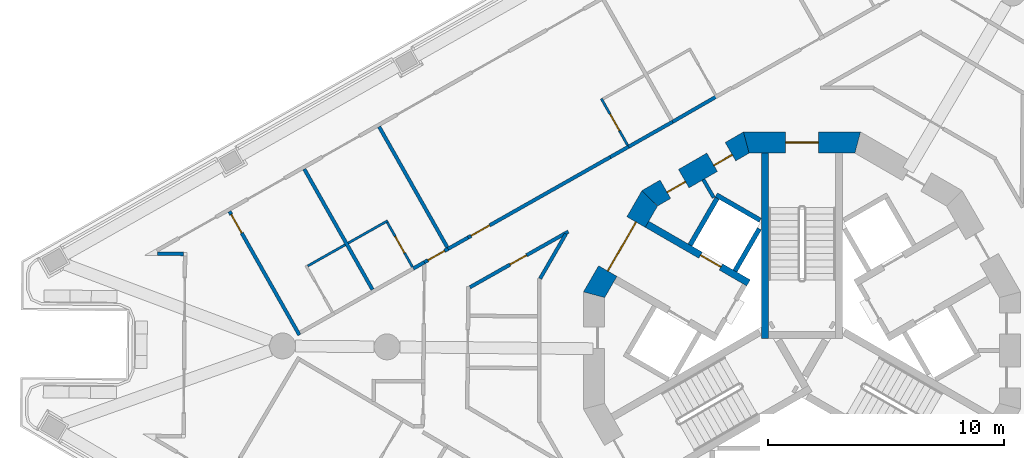
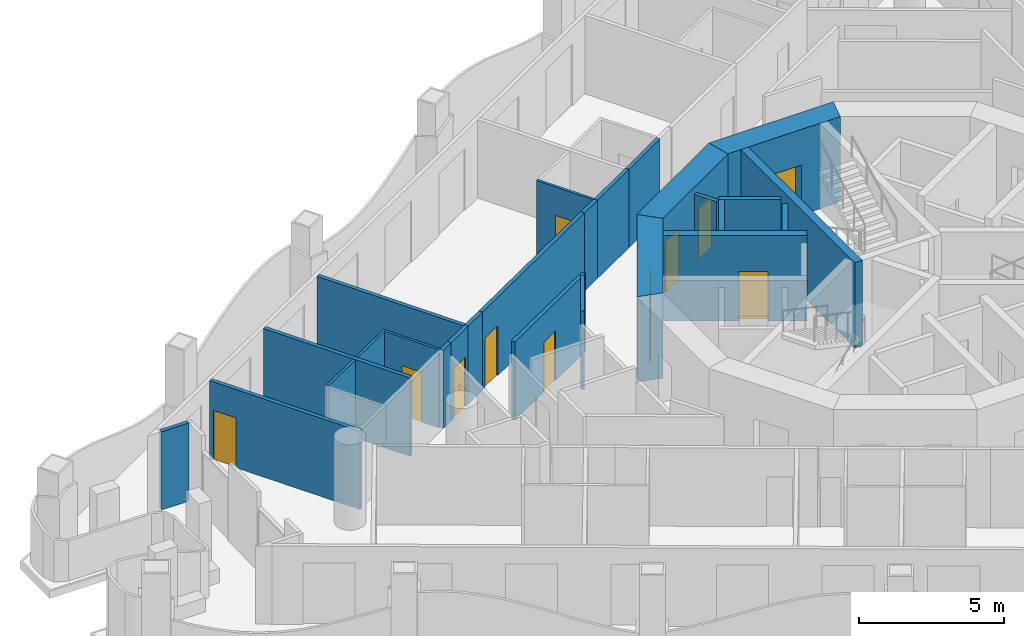
# One storey, part 7 of 17: 26 walls, 11 doors, 11 openings.
"""IFC4 building model written with IfcOpenShell, lengths in metres."""

from ifc_helpers import new_model, si_unit, direction, frame, frame_2d, origin, place, context, subcontext, project, spatial, polyline, rectangle, outline, extrude, material, layer, layer_set, type_object, element, fill, save


model = new_model("IFC4")

# Units and contexts
model_context = context("Model", 3, precision=1e-05, world=origin(), true_north=direction((0.0, 1.0)))
body_context = subcontext(model_context, "Body", "Model", "MODEL_VIEW")
ifc_project = project(units=[si_unit("LENGTHUNIT", "METRE"), si_unit("AREAUNIT", "SQUARE_METRE"), si_unit("VOLUMEUNIT", "CUBIC_METRE"), si_unit("PLANEANGLEUNIT", "RADIAN"), si_unit("MASSUNIT", "GRAM", prefix="KILO")], contexts=[model_context])

# Site, building, storey
site_placement = place(None, origin())
site = spatial("IfcSite", under=ifc_project, at=site_placement, CompositionType="ELEMENT")
building_placement = place(site_placement, origin())
building = spatial("IfcBuilding", under=site, at=building_placement, Name="Trine Commons Tower", CompositionType="ELEMENT")
storey_placement = place(building_placement, frame((0.0, 0.0, 168.300048828125)))
storey = spatial("IfcBuildingStorey", under=building, at=storey_placement, Name="L43", CompositionType="ELEMENT", Elevation=168.300048828125)

# Walls
ifc_material_1 = material(Name="Plasterboard partition on steel studs", Category="steel")
ifc_layer_1 = layer(ifc_material_1, 0.14990234375)
ifc_layer_set_1 = layer_set([ifc_layer_1], Name="Plasterboard partition on steel studs")
wall_type_1 = type_object("IfcWallType", Name="Core room partition 150 mm, EI 60", PredefinedType="PARTITIONING", material=ifc_layer_set_1)
wall_1_placement = place(storey_placement, frame((75.81396484375, 69.7509765625, 0.0), z_axis=(0.0, 0.0, 1.0), x_axis=(0.499890179513, -0.866088799389, 0.0)))
element("IfcWall", 1, at=wall_1_placement, inside=storey, type_object=wall_type_1, Name="Core room partition L43", PredefinedType="PARTITIONING", context=body_context, shape_type="SweptSolid", body=[
    extrude(rectangle(XDim=0.882080078125, YDim=0.14990234375, at=frame_2d((0.44091796875, 0.0))), origin(), (0.0, 0.0, 1.0), 3.300048828125),
])
ifc_material_2 = material(Name="Aluminium-framed insulated wall panel", Category="aluminium")
ifc_layer_2 = layer(ifc_material_2, 0.14990234375)
ifc_layer_set_2 = layer_set([ifc_layer_2], Name="Aluminium-framed insulated wall panel")
wall_type_2 = type_object("IfcWallType", Name="Glazed frame wall 150, EI 60", PredefinedType="SOLIDWALL", material=ifc_layer_set_2)
wall_2_placement = place(storey_placement, frame((53.859619140625, 66.59326171875, 0.0), z_axis=(0.0, 0.0, 1.0), x_axis=(-0.999962043845, 0.008712684354, 0.0)))
element("IfcWall", 2, at=wall_2_placement, inside=storey, type_object=wall_type_2, Name="Glazed frame wall R3", PredefinedType="SOLIDWALL", context=body_context, shape_type="SweptSolid", body=[
    extrude(outline(polyline([(0.110107421875, 0.074951171875), (0.110107421875, -0.074951171875), (1.19580078125, -0.074951171875), (1.19580078125, 0.074951171875), (0.110107421875, 0.074951171875)])), origin(), (0.0, 0.0, 1.0), 3.300048828125),
])

# Wall, opening, door
ifc_material_3 = material(Name="Concrete C60/75", Category="concrete")
ifc_layer_3 = layer(ifc_material_3, 0.300048828125)
ifc_layer_set_3 = layer_set([ifc_layer_3], Name="Concrete C60/75")
wall_type_3 = type_object("IfcWallType", Name="RC shear wall 300 mm, C60/75", PredefinedType="SHEAR", material=ifc_layer_set_3)
wall_3_placement = place(storey_placement, frame((77.73095703125, 65.368896484375, 0.0), z_axis=(0.0, 0.0, 1.0), x_axis=(-0.865983655544, 0.500072303102, 0.0)))
wall_3 = element("IfcWall", 3, at=wall_3_placement, inside=storey, type_object=wall_type_3, Name="Core cross wall SWB-02 L43", PredefinedType="SHEAR", context=body_context, shape_type="SweptSolid", body=[
    extrude(rectangle(XDim=4.973388671875, YDim=0.300048828125, at=frame_2d((2.48681640625, 0.0))), origin(), (0.0, 0.0, 1.0), 3.599853515625),
])
opening_1_placement = place(wall_3_placement, frame((1.3505859375, 0.0, 0.0)))
opening_1 = element("IfcOpeningElement", 4, at=opening_1_placement, cuts=wall_3, Name="Opening LD8", PredefinedType="OPENING", context=body_context, shape_type="SweptSolid", body=[
    extrude(rectangle(XDim=1.0, YDim=2.10009765625, at=frame_2d((0.5, 1.050048828125))), frame((0.0, 0.159912109375, 0.0), z_axis=(0.0, -1.0, 0.0), x_axis=(1.0, 0.0, 0.0)), (0.0, 0.0, 1.0), 0.320068359375),
])
ifc_material_4 = material(Name="Stainless steel sliding door leaves", Category="steel")
door_type_1 = type_object("IfcDoorType", Name="Lift landing door, centre-opening sliding 1000 x 2100, FD90", OperationType="DOUBLE_DOOR_SLIDING", PredefinedType="DOOR", material=ifc_material_4)
door_1_placement = place(opening_1_placement, origin())
door_1 = element("IfcDoor", 5, at=door_1_placement, inside=storey, type_object=door_type_1, Name="Lift landing door HR4 L43", OperationType="DOUBLE_DOOR_SLIDING", OverallHeight=2.10009765625, OverallWidth=1.0, PredefinedType="DOOR", context=body_context, shape_type="SweptSolid", body=[
    extrude(rectangle(XDim=1.0, YDim=2.10009765625, at=frame_2d((0.5, 1.050048828125))), frame((0.0, 0.02490234375, 0.0), z_axis=(0.0, -1.0, 0.0), x_axis=(1.0, 0.0, 0.0)), (0.0, 0.0, 1.0), 0.050048828125),
])
fill(opening_1, door_1)

# Wall
wall_4_placement = place(storey_placement, frame((78.425048828125, 63.0009765625, 0.0), z_axis=(0.0, 0.0, 1.0), x_axis=(0.0, 1.0, 0.0)))
element("IfcWall", 6, at=wall_4_placement, inside=storey, type_object=wall_type_3, Name="Core cross wall SWB-08 L43", PredefinedType="SHEAR", context=body_context, shape_type="SweptSolid", body=[
    extrude(rectangle(XDim=7.8720703125, YDim=0.300048828125, at=frame_2d((3.93603515625, 0.0))), origin(), (0.0, 0.0, 1.0), 3.599853515625),
])

# Wall, opening, door
ifc_layer_4 = layer(ifc_material_3, 0.89990234375)
ifc_layer_set_4 = layer_set([ifc_layer_4], Name="Concrete C60/75")
wall_type_4 = type_object("IfcWallType", Name="RC shear wall 900 mm, C60/75", PredefinedType="SHEAR", material=ifc_layer_set_4)
wall_5_placement = place(storey_placement, frame((82.484619140625, 71.322998046875, 0.0), z_axis=(0.0, 0.0, 1.0), x_axis=(-1.0, 0.0, 0.0)))
wall_5 = element("IfcWall", 7, at=wall_5_placement, inside=storey, type_object=wall_type_4, Name="Core wall CWE-04 L43", PredefinedType="SHEAR", context=body_context, shape_type="SweptSolid", body=[
    extrude(outline(polyline([(0.0, -0.449951171875), (4.969482421875, -0.449951171875), (4.728271484375, 0.449951171875), (0.2412109375, 0.449951171875), (0.0, -0.449951171875)])), origin(), (0.0, 0.0, 1.0), 3.599853515625),
])
opening_2_placement = place(wall_5_placement, frame((1.78466796875, 0.0, 0.0)))
opening_2 = element("IfcOpeningElement", 8, at=opening_2_placement, cuts=wall_5, Name="Opening K10.01", PredefinedType="OPENING", context=body_context, shape_type="SweptSolid", body=[
    extrude(rectangle(XDim=1.39990234375, YDim=2.10009765625, at=frame_2d((0.699951171875, 1.050048828125))), frame((0.0, 0.4599609375, 0.0), z_axis=(0.0, -1.0, 0.0), x_axis=(1.0, 0.0, 0.0)), (0.0, 0.0, 1.0), 0.919921875),
])
ifc_material_5 = material(Name="Steel door leaves, fire-rated", Category="steel")
door_type_2 = type_object("IfcDoorType", Name="Stair door, double leaf 1400 x 2100, FD90", OperationType="DOUBLE_DOOR_SINGLE_SWING", PredefinedType="DOOR", material=ifc_material_5)
door_2_placement = place(opening_2_placement, origin())
door_2 = element("IfcDoor", 9, at=door_2_placement, inside=storey, type_object=door_type_2, Name="Stair door to Exit stair ST1B L43", OperationType="DOUBLE_DOOR_SINGLE_SWING", OverallHeight=2.10009765625, OverallWidth=1.39990234375, PredefinedType="DOOR", context=body_context, shape_type="SweptSolid", body=[
    extrude(rectangle(XDim=1.39990234375, YDim=2.10009765625, at=frame_2d((0.699951171875, 1.050048828125))), frame((0.0, 0.02490234375, 0.0), z_axis=(0.0, -1.0, 0.0), x_axis=(1.0, 0.0, 0.0)), (0.0, 0.0, 1.0), 0.050048828125),
])
fill(opening_2, door_2)

# Wall, openings, doors
wall_6_placement = place(storey_placement, frame((77.740234375, 71.38330078125, 0.0), z_axis=(0.0, 0.0, 1.0), x_axis=(-0.866003133579, -0.500038571144, 0.0)))
wall_6 = element("IfcWall", 10, at=wall_6_placement, inside=storey, type_object=wall_type_4, Name="Core wall CWE-05 L43", PredefinedType="SHEAR", context=body_context, shape_type="SweptSolid", body=[
    extrude(outline(polyline([(0.0, -0.449951171875), (4.96923828125, -0.449951171875), (4.72802734375, 0.449951171875), (0.2412109375, 0.449951171875), (0.0, -0.449951171875)])), origin(), (0.0, 0.0, 1.0), 3.599853515625),
])
opening_3_placement = place(wall_6_placement, frame((0.89501953125, 0.0, 0.0)))
opening_3 = element("IfcOpeningElement", 11, at=opening_3_placement, cuts=wall_6, Name="Opening K10.13", PredefinedType="OPENING", context=body_context, shape_type="SweptSolid", body=[
    extrude(rectangle(XDim=0.89990234375, YDim=2.10009765625, at=frame_2d((0.449951171875, 1.050048828125))), frame((0.0, 0.4599609375, 0.0), z_axis=(0.0, -1.0, 0.0), x_axis=(1.0, 0.0, 0.0)), (0.0, 0.0, 1.0), 0.919921875),
])
opening_4_placement = place(wall_6_placement, frame((3.18408203125, 0.0, 0.0)))
opening_4 = element("IfcOpeningElement", 12, at=opening_4_placement, cuts=wall_6, Name="Opening K10.14", PredefinedType="OPENING", context=body_context, shape_type="SweptSolid", body=[
    extrude(rectangle(XDim=0.89990234375, YDim=2.10009765625, at=frame_2d((0.449951171875, 1.050048828125))), frame((0.0, 0.4599609375, 0.0), z_axis=(0.0, -1.0, 0.0), x_axis=(1.0, 0.0, 0.0)), (0.0, 0.0, 1.0), 0.919921875),
])
ifc_material_6 = material(Name="Steel door leaf, fire-rated", Category="steel")
door_type_3 = type_object("IfcDoorType", Name="Core room door, single leaf 900 x 2100, FD30S", OperationType="SINGLE_SWING_LEFT", PredefinedType="DOOR", material=ifc_material_6)
door_3_placement = place(opening_3_placement, origin())
door_3 = element("IfcDoor", 13, at=door_3_placement, inside=storey, type_object=door_type_3, Name="Door to Parcel store L43", OperationType="SINGLE_SWING_LEFT", OverallHeight=2.10009765625, OverallWidth=0.89990234375, PredefinedType="DOOR", context=body_context, shape_type="SweptSolid", body=[
    extrude(rectangle(XDim=0.89990234375, YDim=2.10009765625, at=frame_2d((0.449951171875, 1.050048828125))), frame((0.0, 0.1748046875, 0.0), z_axis=(0.0, -1.0, 0.0), x_axis=(1.0, 0.0, 0.0)), (0.0, 0.0, 1.0), 0.050048828125),
])
fill(opening_3, door_3)
door_4_placement = place(opening_4_placement, origin())
door_4 = element("IfcDoor", 14, at=door_4_placement, inside=storey, type_object=door_type_3, Name="Door to Print room L43", OperationType="SINGLE_SWING_RIGHT", OverallHeight=2.10009765625, OverallWidth=0.89990234375, PredefinedType="DOOR", context=body_context, shape_type="SweptSolid", body=[
    extrude(rectangle(XDim=0.89990234375, YDim=2.10009765625, at=frame_2d((0.449951171875, 1.050048828125))), frame((0.0, 0.1748046875, 0.0), z_axis=(0.0, -1.0, 0.0), x_axis=(1.0, 0.0, 0.0)), (0.0, 0.0, 1.0), 0.050048828125),
])
fill(opening_4, door_4)

# Wall, opening, door
wall_7_placement = place(storey_placement, frame((73.6015625, 69.063232421875, 0.0), z_axis=(0.0, 0.0, 1.0), x_axis=(-0.500038571144, -0.866003133579, 0.0)))
wall_7 = element("IfcWall", 15, at=wall_7_placement, inside=storey, type_object=wall_type_4, Name="Core wall CWE-06 L43", PredefinedType="SHEAR", context=body_context, shape_type="SweptSolid", body=[
    extrude(outline(polyline([(0.0, -0.449951171875), (4.96923828125, -0.449951171875), (4.72802734375, 0.449951171875), (0.2412109375, 0.449951171875), (0.0, -0.449951171875)])), origin(), (0.0, 0.0, 1.0), 3.599853515625),
])
opening_5_placement = place(wall_7_placement, frame((1.28466796875, 0.0, 0.0)))
opening_5 = element("IfcOpeningElement", 16, at=opening_5_placement, cuts=wall_7, Name="Opening K10.06", PredefinedType="OPENING", context=body_context, shape_type="SweptSolid", body=[
    extrude(rectangle(XDim=2.39990234375, YDim=2.10009765625, at=frame_2d((1.199951171875, 1.050048828125))), frame((0.0, 0.4599609375, 0.0), z_axis=(0.0, -1.0, 0.0), x_axis=(1.0, 0.0, 0.0)), (0.0, 0.0, 1.0), 0.919921875),
])
door_type_4 = type_object("IfcDoorType", Name="Lobby door, double leaf 2400 x 2100, FD60", OperationType="DOUBLE_DOOR_SINGLE_SWING", PredefinedType="DOOR", material=ifc_material_5)
door_5_placement = place(opening_5_placement, origin())
door_5 = element("IfcDoor", 17, at=door_5_placement, inside=storey, type_object=door_type_4, Name="Lobby door, Passenger lift lobby B L43", OperationType="DOUBLE_DOOR_SINGLE_SWING", OverallHeight=2.10009765625, OverallWidth=2.39990234375, PredefinedType="DOOR", context=body_context, shape_type="SweptSolid", body=[
    extrude(rectangle(XDim=2.39990234375, YDim=2.10009765625, at=frame_2d((1.199951171875, 1.050048828125))), frame((0.0, 0.02490234375, 0.0), z_axis=(0.0, -1.0, 0.0), x_axis=(1.0, 0.0, 0.0)), (0.0, 0.0, 1.0), 0.050048828125),
])
fill(opening_5, door_5)

# Walls
ifc_material_7 = material(Name="Fire-rated gypsum shaft wall system")
ifc_layer_5 = layer(ifc_material_7, 0.199951171875)
ifc_layer_set_5 = layer_set([ifc_layer_5], Name="Fire-rated gypsum shaft wall system")
wall_type_5 = type_object("IfcWallType", Name="Shaft wall 200 mm, EI 120", PredefinedType="PARTITIONING", material=ifc_layer_set_5)
wall_8_placement = place(storey_placement, frame((75.2509765625, 66.97412109375, 0.0), z_axis=(0.0, 0.0, 1.0), x_axis=(0.500136062276, 0.86594683394, 0.0)))
element("IfcWall", 18, at=wall_8_placement, inside=storey, type_object=wall_type_5, Name="Shaft wall L43", PredefinedType="PARTITIONING", context=body_context, shape_type="SweptSolid", body=[
    extrude(rectangle(XDim=2.299072265625, YDim=0.199951171875, at=frame_2d((1.1494140625, 0.0))), origin(), (0.0, 0.0, 1.0), 3.300048828125),
])
wall_9_placement = place(storey_placement, frame((77.156005859375, 65.8740234375, 0.0), z_axis=(0.0, 0.0, 1.0), x_axis=(0.499865770674, 0.866102887253, 0.0)))
element("IfcWall", 19, at=wall_9_placement, inside=storey, type_object=wall_type_5, Name="Shaft wall L43", PredefinedType="PARTITIONING", context=body_context, shape_type="SweptSolid", body=[
    extrude(rectangle(XDim=2.064453125, YDim=0.199951171875, at=frame_2d((1.0322265625, 0.0))), origin(), (0.0, 0.0, 1.0), 3.300048828125),
])
wall_10_placement = place(storey_placement, frame((78.22509765625, 68.028076171875, 0.0), z_axis=(0.0, 0.0, 1.0), x_axis=(-0.866130725101, 0.499817533742, 0.0)))
element("IfcWall", 20, at=wall_10_placement, inside=storey, type_object=wall_type_5, Name="Shaft wall L43", PredefinedType="PARTITIONING", context=body_context, shape_type="SweptSolid", body=[
    extrude(rectangle(XDim=2.148681640625, YDim=0.199951171875, at=frame_2d((1.07421875, 0.0))), origin(), (0.0, 0.0, 1.0), 3.300048828125),
])

# Wall, opening, door
ifc_material_8 = material(Name="Gypsum plasterboard on steel stud", Category="steel")
ifc_layer_6 = layer(ifc_material_8, 0.14990234375)
ifc_layer_set_6 = layer_set([ifc_layer_6], Name="Gypsum plasterboard on steel stud")
wall_type_6 = type_object("IfcWallType", Name="Unit and corridor wall 150 mm, EI 60", PredefinedType="PARTITIONING", material=ifc_layer_set_6)
wall_11_placement = place(storey_placement, frame((55.708740234375, 68.401123046875, 0.0), z_axis=(0.0, 0.0, 1.0), x_axis=(0.492481823802, -0.870322729351, 0.0)))
wall_11 = element("IfcWall", 21, at=wall_11_placement, inside=storey, type_object=wall_type_6, Name="Partition 002", PredefinedType="PARTITIONING", context=body_context, shape_type="SweptSolid", body=[
    extrude(rectangle(XDim=6.024658203125, YDim=0.14990234375, at=frame_2d((3.01220703125, 0.0))), origin(), (0.0, 0.0, 1.0), 3.300048828125),
])
opening_6_placement = place(wall_11_placement, frame((0.14990234375, 0.0, 0.0)))
opening_6 = element("IfcOpeningElement", 22, at=opening_6_placement, cuts=wall_11, Name="Opening D-5A06", PredefinedType="OPENING", context=body_context, shape_type="SweptSolid", body=[
    extrude(rectangle(XDim=0.89990234375, YDim=2.10009765625, at=frame_2d((0.449951171875, 1.050048828125))), frame((0.0, 0.0849609375, 0.0), z_axis=(0.0, -1.0, 0.0), x_axis=(1.0, 0.0, 0.0)), (0.0, 0.0, 1.0), 0.169921875),
])
ifc_material_9 = material(Name="Timber fire door set", Category="wood")
door_type_5 = type_object("IfcDoorType", Name="Bedroom door 900 x 2100, FD30S", OperationType="NOTDEFINED", PredefinedType="DOOR", material=ifc_material_9)
door_6_placement = place(opening_6_placement, origin())
door_6 = element("IfcDoor", 23, at=door_6_placement, inside=storey, type_object=door_type_5, Name="Door D-5A06", OperationType="SINGLE_SWING_LEFT", OverallHeight=2.10009765625, OverallWidth=0.89990234375, PredefinedType="DOOR", context=body_context, shape_type="SweptSolid", body=[
    extrude(rectangle(XDim=0.89990234375, YDim=2.10009765625, at=frame_2d((0.449951171875, 1.050048828125))), frame((0.0, 0.02490234375, 0.0), z_axis=(0.0, -1.0, 0.0), x_axis=(1.0, 0.0, 0.0)), (0.0, 0.0, 1.0), 0.050048828125),
])
fill(opening_6, door_6)

# Walls
wall_12_placement = place(storey_placement, frame((58.8837890625, 70.197265625, 0.0), z_axis=(0.0, 0.0, 1.0), x_axis=(0.492361245758, -0.870390948756, 0.0)))
element("IfcWall", 24, at=wall_12_placement, inside=storey, type_object=wall_type_6, Name="Partition 005", PredefinedType="PARTITIONING", context=body_context, shape_type="SweptSolid", body=[
    extrude(rectangle(XDim=5.87451171875, YDim=0.14990234375, at=frame_2d((2.937255859375, 0.0))), origin(), (0.0, 0.0, 1.0), 3.300048828125),
])
wall_13_placement = place(storey_placement, frame((62.0576171875, 71.9931640625, 0.0), z_axis=(0.0, 0.0, 1.0), x_axis=(0.492391211334, -0.870373997199, 0.0)))
element("IfcWall", 25, at=wall_13_placement, inside=storey, type_object=wall_type_6, Name="Partition 015", PredefinedType="PARTITIONING", context=body_context, shape_type="SweptSolid", body=[
    extrude(rectangle(XDim=5.949462890625, YDim=0.14990234375, at=frame_2d((2.974609375, 0.0))), origin(), (0.0, 0.0, 1.0), 3.300048828125),
])
wall_14_placement = place(storey_placement, frame((63.507080078125, 65.97705078125, 0.0), z_axis=(0.0, 0.0, 1.0), x_axis=(0.869938000449, 0.493161104888, 0.0)))
element("IfcWall", 26, at=wall_14_placement, inside=storey, type_object=wall_type_6, Name="Partition 019", PredefinedType="PARTITIONING", context=body_context, shape_type="SweptSolid", body=[
    extrude(rectangle(XDim=0.5390625, YDim=0.14990234375, at=frame_2d((0.26953125, 0.0))), origin(), (0.0, 0.0, 1.0), 3.300048828125),
])

# Wall, opening, door
wall_15_placement = place(storey_placement, frame((63.97607421875, 66.242919921875, 0.0), z_axis=(0.0, 0.0, 1.0), x_axis=(0.870234820761, 0.492637145102, 0.0)))
wall_15 = element("IfcWall", 27, at=wall_15_placement, inside=storey, type_object=wall_type_6, Name="Partition 024", PredefinedType="PARTITIONING", context=body_context, shape_type="SweptSolid", body=[
    extrude(rectangle(XDim=1.1650390625, YDim=0.14990234375, at=frame_2d((0.58251953125, 0.0))), origin(), (0.0, 0.0, 1.0), 3.300048828125),
])
opening_7_placement = place(wall_15_placement, frame((0.180908203125, 0.0, 0.0)))
opening_7 = element("IfcOpeningElement", 28, at=opening_7_placement, cuts=wall_15, Name="Opening D-5A07", PredefinedType="OPENING", context=body_context, shape_type="SweptSolid", body=[
    extrude(rectangle(XDim=0.800048828125, YDim=2.10009765625, at=frame_2d((0.39990234375, 1.050048828125))), frame((0.0, 0.0849609375, 0.0), z_axis=(0.0, -1.0, 0.0), x_axis=(1.0, 0.0, 0.0)), (0.0, 0.0, 1.0), 0.169921875),
])
door_type_6 = type_object("IfcDoorType", Name="Bedroom door 800 x 2100, FD30S", OperationType="NOTDEFINED", PredefinedType="DOOR", material=ifc_material_9)
door_7_placement = place(opening_7_placement, origin())
door_7 = element("IfcDoor", 29, at=door_7_placement, inside=storey, type_object=door_type_6, Name="Door D-5A07", OperationType="SINGLE_SWING_LEFT", OverallHeight=2.10009765625, OverallWidth=0.800048828125, PredefinedType="DOOR", context=body_context, shape_type="SweptSolid", body=[
    extrude(rectangle(XDim=0.800048828125, YDim=2.10009765625, at=frame_2d((0.39990234375, 1.050048828125))), frame((0.0, 0.02490234375, 0.0), z_axis=(0.0, -1.0, 0.0), x_axis=(1.0, 0.0, 0.0)), (0.0, 0.0, 1.0), 0.050048828125),
])
fill(opening_7, door_7)

# Wall
wall_16_placement = place(storey_placement, frame((64.98388671875, 66.81298828125, 0.0), z_axis=(0.0, 0.0, 1.0), x_axis=(0.870488073498, 0.492189510145, 0.0)))
element("IfcWall", 30, at=wall_16_placement, inside=storey, type_object=wall_type_6, Name="Partition 026", PredefinedType="PARTITIONING", context=body_context, shape_type="SweptSolid", body=[
    extrude(rectangle(XDim=0.97314453125, YDim=0.14990234375, at=frame_2d((0.486572265625, 0.0))), origin(), (0.0, 0.0, 1.0), 3.300048828125),
])

# Wall, opening, door
wall_17_placement = place(storey_placement, frame((65.8310546875, 67.2919921875, 0.0), z_axis=(0.0, 0.0, 1.0), x_axis=(0.870315513683, 0.492494575242, 0.0)))
wall_17 = element("IfcWall", 31, at=wall_17_placement, inside=storey, type_object=wall_type_6, Name="Partition 033", PredefinedType="PARTITIONING", context=body_context, shape_type="SweptSolid", body=[
    extrude(rectangle(XDim=6.93408203125, YDim=0.14990234375, at=frame_2d((3.467041015625, 0.0))), origin(), (0.0, 0.0, 1.0), 3.300048828125),
])
opening_8_placement = place(wall_17_placement, frame((0.14990234375, 0.0, 0.0)))
opening_8 = element("IfcOpeningElement", 32, at=opening_8_placement, cuts=wall_17, Name="Opening D-5A08", PredefinedType="OPENING", context=body_context, shape_type="SweptSolid", body=[
    extrude(rectangle(XDim=0.89990234375, YDim=2.10009765625, at=frame_2d((0.449951171875, 1.050048828125))), frame((0.0, 0.0849609375, 0.0), z_axis=(0.0, -1.0, 0.0), x_axis=(1.0, 0.0, 0.0)), (0.0, 0.0, 1.0), 0.169921875),
])
door_8_placement = place(opening_8_placement, origin())
door_8 = element("IfcDoor", 33, at=door_8_placement, inside=storey, type_object=door_type_5, Name="Door D-5A08", OperationType="SINGLE_SWING_LEFT", OverallHeight=2.10009765625, OverallWidth=0.89990234375, PredefinedType="DOOR", context=body_context, shape_type="SweptSolid", body=[
    extrude(rectangle(XDim=0.89990234375, YDim=2.10009765625, at=frame_2d((0.449951171875, 1.050048828125))), frame((0.0, 0.02490234375, 0.0), z_axis=(0.0, -1.0, 0.0), x_axis=(1.0, 0.0, 0.0)), (0.0, 0.0, 1.0), 0.050048828125),
])
fill(opening_8, door_8)

wall_18_placement = place(storey_placement, frame((65.9072265625, 65.180908203125, 0.0), z_axis=(0.0, 0.0, 1.0), x_axis=(0.870373278687, 0.492392481408, 0.0)))
wall_18 = element("IfcWall", 34, at=wall_18_placement, inside=storey, type_object=wall_type_6, Name="Partition 035", PredefinedType="PARTITIONING", context=body_context, shape_type="SweptSolid", body=[
    extrude(rectangle(XDim=4.799072265625, YDim=0.14990234375, at=frame_2d((2.3994140625, 0.0))), origin(), (0.0, 0.0, 1.0), 3.300048828125),
])
opening_9_placement = place(wall_18_placement, frame((1.9619140625, 0.0, 0.0)))
opening_9 = element("IfcOpeningElement", 35, at=opening_9_placement, cuts=wall_18, Name="Opening D-5A29", PredefinedType="OPENING", context=body_context, shape_type="SweptSolid", body=[
    extrude(rectangle(XDim=0.800048828125, YDim=2.10009765625, at=frame_2d((0.39990234375, 1.050048828125))), frame((0.0, 0.0849609375, 0.0), z_axis=(0.0, -1.0, 0.0), x_axis=(1.0, 0.0, 0.0)), (0.0, 0.0, 1.0), 0.169921875),
])
ifc_material_10 = material(Name="Painted timber", Category="wood")
door_type_7 = type_object("IfcDoorType", Name="Toilet door 800 x 2100, NOT RATED", OperationType="NOTDEFINED", PredefinedType="DOOR", material=ifc_material_10)
door_9_placement = place(opening_9_placement, frame((0.800048828125, 0.0, 0.0), z_axis=(0.0, 0.0, 1.0), x_axis=(-1.0, 0.0, 0.0)))
door_9 = element("IfcDoor", 36, at=door_9_placement, inside=storey, type_object=door_type_7, Name="Door D-5A29", OperationType="SINGLE_SWING_RIGHT", OverallHeight=2.10009765625, OverallWidth=0.800048828125, PredefinedType="DOOR", context=body_context, shape_type="SweptSolid", body=[
    extrude(rectangle(XDim=0.800048828125, YDim=2.10009765625, at=frame_2d((0.39990234375, 1.050048828125))), frame((0.0, 0.02490234375, 0.0), z_axis=(0.0, -1.0, 0.0), x_axis=(1.0, 0.0, 0.0)), (0.0, 0.0, 1.0), 0.050048828125),
])
fill(opening_9, door_9)

# Walls
wall_19_placement = place(storey_placement, frame((68.889404296875, 65.552001953125, 0.0), z_axis=(0.0, 0.0, 1.0), x_axis=(0.499825543119, 0.866126103086, 0.0)))
element("IfcWall", 37, at=wall_19_placement, inside=storey, type_object=wall_type_6, Name="Partition 039", PredefinedType="PARTITIONING", context=body_context, shape_type="SweptSolid", body=[
    extrude(rectangle(XDim=2.186767578125, YDim=0.14990234375, at=frame_2d((1.09326171875, 0.0))), origin(), (0.0, 0.0, 1.0), 3.300048828125),
])
wall_20_placement = place(storey_placement, frame((71.865966796875, 70.70703125, 0.0), z_axis=(0.0, 0.0, 1.0), x_axis=(0.870501381105, 0.492165973524, 0.0)))
element("IfcWall", 38, at=wall_20_placement, inside=storey, type_object=wall_type_6, Name="Partition 047", PredefinedType="PARTITIONING", context=body_context, shape_type="SweptSolid", body=[
    extrude(rectangle(XDim=0.887939453125, YDim=0.14990234375, at=frame_2d((0.44384765625, 0.0))), origin(), (0.0, 0.0, 1.0), 3.300048828125),
])
wall_21_placement = place(storey_placement, frame((72.638916015625, 71.14404296875, 0.0), z_axis=(0.0, 0.0, 1.0), x_axis=(0.870311041837, 0.492502477615, 0.0)))
element("IfcWall", 39, at=wall_21_placement, inside=storey, type_object=wall_type_6, Name="Partition 048", PredefinedType="PARTITIONING", context=body_context, shape_type="SweptSolid", body=[
    extrude(rectangle(XDim=2.14990234375, YDim=0.14990234375, at=frame_2d((1.074951171875, 0.0))), origin(), (0.0, 0.0, 1.0), 3.300048828125),
])
wall_22_placement = place(storey_placement, frame((74.510009765625, 72.202880859375, 0.0), z_axis=(0.0, 0.0, 1.0), x_axis=(0.865945810508, 0.500137834266, 0.0)))
element("IfcWall", 40, at=wall_22_placement, inside=storey, type_object=wall_type_6, Name="Partition 054", PredefinedType="PARTITIONING", context=body_context, shape_type="SweptSolid", body=[
    extrude(rectangle(XDim=2.15380859375, YDim=0.14990234375, at=frame_2d((1.076904296875, 0.0))), origin(), (0.0, 0.0, 1.0), 3.300048828125),
])
ifc_layer_7 = layer(ifc_material_8, 0.10009765625)
ifc_layer_set_7 = layer_set([ifc_layer_7], Name="Gypsum plasterboard on steel stud")
wall_type_7 = type_object("IfcWallType", Name="Unit partition 100 mm, no rating", PredefinedType="PARTITIONING", material=ifc_layer_set_7)
wall_23_placement = place(storey_placement, frame((59.026611328125, 66.085693359375, 0.0), z_axis=(0.0, 0.0, 1.0), x_axis=(0.870375876163, 0.492387889974, 0.0)))
element("IfcWall", 41, at=wall_23_placement, inside=storey, type_object=wall_type_7, Name="Partition 007", PredefinedType="PARTITIONING", context=body_context, shape_type="SweptSolid", body=[
    extrude(rectangle(XDim=1.82470703125, YDim=0.10009765625, at=frame_2d((0.912353515625, 0.0))), origin(), (0.0, 0.0, 1.0), 3.300048828125),
])
wall_24_placement = place(storey_placement, frame((60.745361328125, 67.057861328125, 0.0), z_axis=(0.0, 0.0, 1.0), x_axis=(0.870465997858, 0.492228551156, 0.0)))
element("IfcWall", 42, at=wall_24_placement, inside=storey, type_object=wall_type_7, Name="Partition 009", PredefinedType="PARTITIONING", context=body_context, shape_type="SweptSolid", body=[
    extrude(rectangle(XDim=1.925537109375, YDim=0.10009765625, at=frame_2d((0.962890625, 0.0))), origin(), (0.0, 0.0, 1.0), 3.300048828125),
])

# Wall, opening, door
wall_25_placement = place(storey_placement, frame((62.402587890625, 67.9375, 0.0), z_axis=(0.0, 0.0, 1.0), x_axis=(0.492205197529, -0.870479203385, 0.0)))
wall_25 = element("IfcWall", 43, at=wall_25_placement, inside=storey, type_object=wall_type_7, Name="Partition 016", PredefinedType="PARTITIONING", context=body_context, shape_type="SweptSolid", body=[
    extrude(rectangle(XDim=2.175048828125, YDim=0.10009765625, at=frame_2d((1.08740234375, 0.0))), origin(), (0.0, 0.0, 1.0), 3.300048828125),
])
opening_10_placement = place(wall_25_placement, frame((0.6875, 0.0, 0.0)))
opening_10 = element("IfcOpeningElement", 44, at=opening_10_placement, cuts=wall_25, Name="Opening D-5A32", PredefinedType="OPENING", context=body_context, shape_type="SweptSolid", body=[
    extrude(rectangle(XDim=0.800048828125, YDim=2.10009765625, at=frame_2d((0.39990234375, 1.050048828125))), frame((0.0, 0.06005859375, 0.0), z_axis=(0.0, -1.0, 0.0), x_axis=(1.0, 0.0, 0.0)), (0.0, 0.0, 1.0), 0.1201171875),
])
door_type_8 = type_object("IfcDoorType", Name="Internal door 800 x 2100, NOT RATED", OperationType="NOTDEFINED", PredefinedType="DOOR", material=ifc_material_10)
door_10_placement = place(opening_10_placement, origin())
door_10 = element("IfcDoor", 45, at=door_10_placement, inside=storey, type_object=door_type_8, Name="Door D-5A32", OperationType="SINGLE_SWING_LEFT", OverallHeight=2.10009765625, OverallWidth=0.800048828125, PredefinedType="DOOR", context=body_context, shape_type="SweptSolid", body=[
    extrude(rectangle(XDim=0.800048828125, YDim=2.10009765625, at=frame_2d((0.39990234375, 1.050048828125))), frame((0.0, 0.02490234375, 0.0), z_axis=(0.0, -1.0, 0.0), x_axis=(1.0, 0.0, 0.0)), (0.0, 0.0, 1.0), 0.050048828125),
])
fill(opening_10, door_10)

wall_26_placement = place(storey_placement, frame((71.482421875, 73.189453125, 0.0), z_axis=(0.0, 0.0, 1.0), x_axis=(0.492181026221, -0.870492870406, 0.0)))
wall_26 = element("IfcWall", 46, at=wall_26_placement, inside=storey, type_object=wall_type_7, Name="Partition 043", PredefinedType="PARTITIONING", context=body_context, shape_type="SweptSolid", body=[
    extrude(rectangle(XDim=2.27490234375, YDim=0.10009765625, at=frame_2d((1.137451171875, 0.0))), origin(), (0.0, 0.0, 1.0), 3.300048828125),
])
opening_11_placement = place(wall_26_placement, frame((0.762451171875, 0.0, 0.0)))
opening_11 = element("IfcOpeningElement", 47, at=opening_11_placement, cuts=wall_26, Name="Opening D-5A33", PredefinedType="OPENING", context=body_context, shape_type="SweptSolid", body=[
    extrude(rectangle(XDim=0.800048828125, YDim=2.10009765625, at=frame_2d((0.39990234375, 1.050048828125))), frame((0.0, 0.06005859375, 0.0), z_axis=(0.0, -1.0, 0.0), x_axis=(1.0, 0.0, 0.0)), (0.0, 0.0, 1.0), 0.1201171875),
])
door_11_placement = place(opening_11_placement, frame((0.800048828125, 0.0, 0.0), z_axis=(0.0, 0.0, 1.0), x_axis=(-1.0, 0.0, 0.0)))
door_11 = element("IfcDoor", 48, at=door_11_placement, inside=storey, type_object=door_type_8, Name="Door D-5A33", OperationType="SINGLE_SWING_LEFT", OverallHeight=2.10009765625, OverallWidth=0.800048828125, PredefinedType="DOOR", context=body_context, shape_type="SweptSolid", body=[
    extrude(rectangle(XDim=0.800048828125, YDim=2.10009765625, at=frame_2d((0.39990234375, 1.050048828125))), frame((0.0, 0.02490234375, 0.0), z_axis=(0.0, -1.0, 0.0), x_axis=(1.0, 0.0, 0.0)), (0.0, 0.0, 1.0), 0.050048828125),
])
fill(opening_11, door_11)

save(model, "model.ifc")
